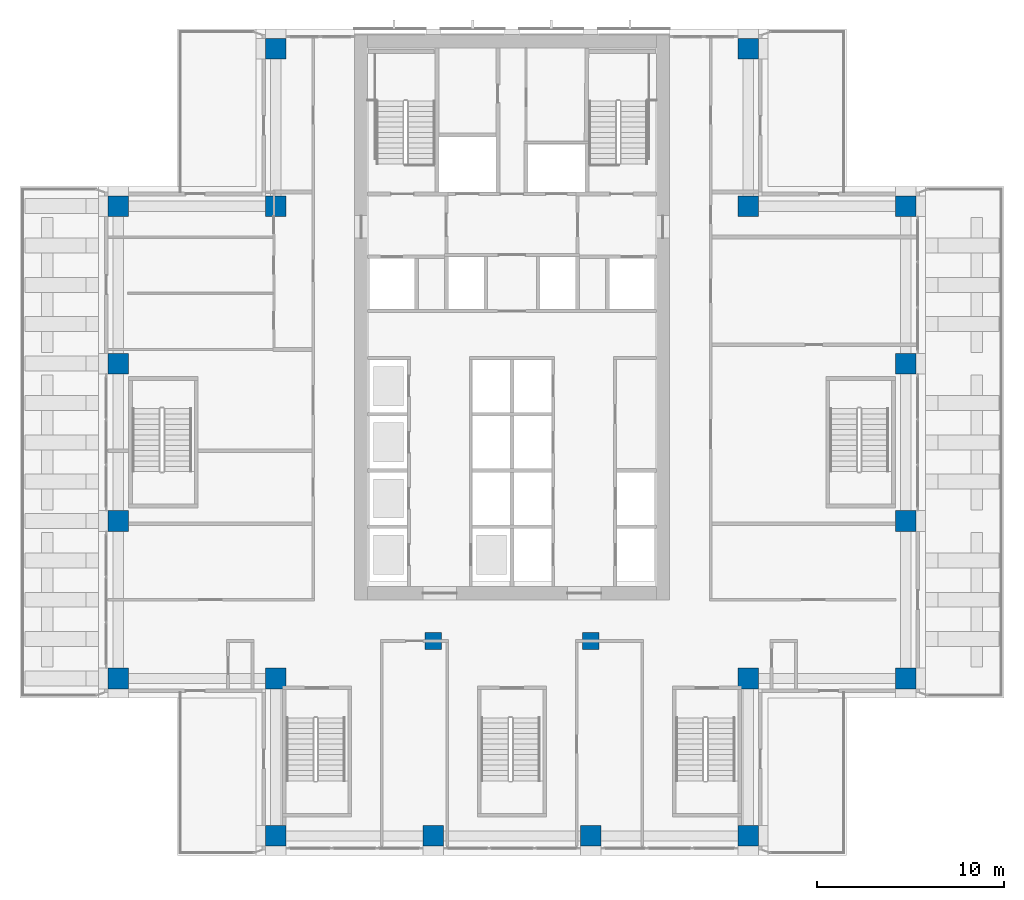
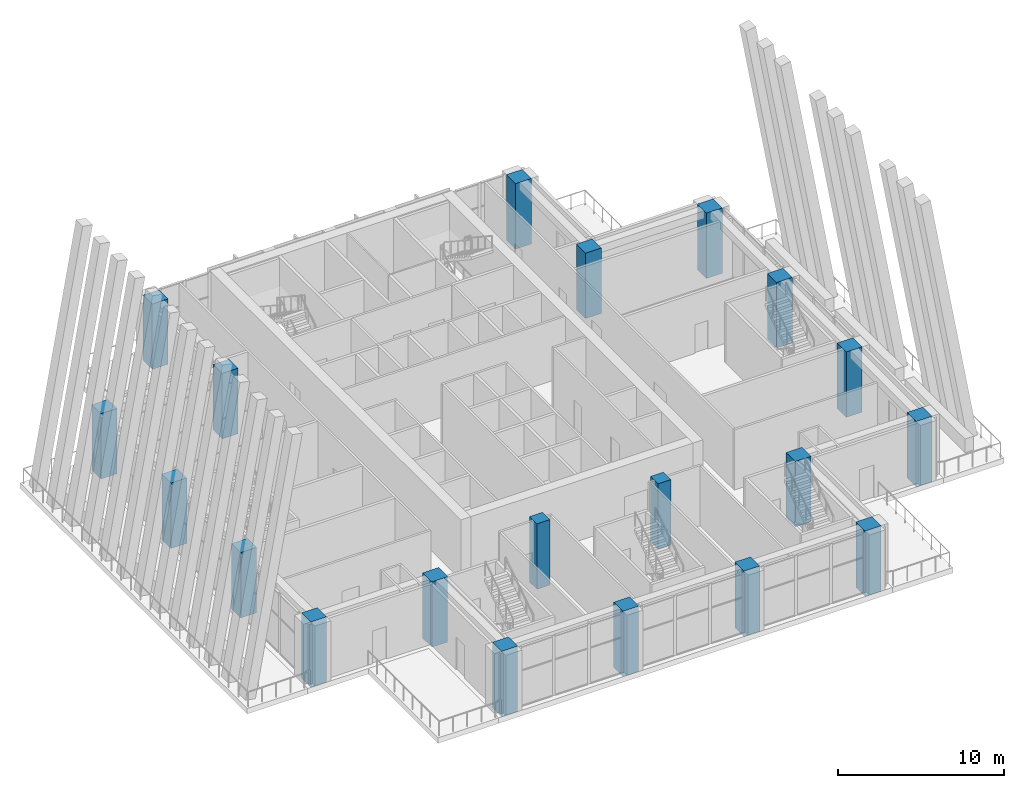
# One storey, part 1 of 19: 20 columns.
"""IFC4 building model written with IfcOpenShell, lengths in metres."""

from ifc_helpers import new_model, si_unit, direction, frame, origin, origin_2d, place, context, subcontext, project, spatial, rectangle, extrude, material, material_profile, profile_set, type_object, element, save


model = new_model("IFC4")

# Units and contexts
model_context = context("Model", 3, precision=1e-05, world=origin(), true_north=direction((0.0, 1.0)))
body_context = subcontext(model_context, "Body", "Model", "MODEL_VIEW")
ifc_project = project(units=[si_unit("LENGTHUNIT", "METRE"), si_unit("AREAUNIT", "SQUARE_METRE"), si_unit("VOLUMEUNIT", "CUBIC_METRE"), si_unit("PLANEANGLEUNIT", "RADIAN"), si_unit("MASSUNIT", "GRAM", prefix="KILO")], contexts=[model_context])

# Site, building, storey
site_placement = place(None, origin())
site = spatial("IfcSite", under=ifc_project, at=site_placement, CompositionType="ELEMENT")
building_placement = place(site_placement, origin())
building = spatial("IfcBuilding", under=site, at=building_placement, Name="Vermilion Ogive Tower", CompositionType="ELEMENT")
storey_placement = place(building_placement, frame((0.0, 0.0, 128.300048828125)))
storey = spatial("IfcBuildingStorey", under=building, at=storey_placement, Name="L32", CompositionType="ELEMENT", Elevation=128.300048828125)

# Columns
ifc_material_1 = material(Name="Concrete B60", Category="concrete")
ifc_material_profile_1 = material_profile(ifc_material_1, rectangle(XDim=1.10009765625, YDim=1.10009765625, at=origin_2d()), Name="1100 x 1100")
ifc_profile_set_1 = profile_set([ifc_material_profile_1], Name="Concrete B60")
column_type_1 = type_object("IfcColumnType", Name="Perimeter column 1100 x 1100 B60", PredefinedType="COLUMN", material=ifc_profile_set_1)
for number, where, z_axis, x_axis, name in (
    (1, (-12.60009765625, -21.0, -0.400146484375), (0.0, 0.0, 1.0), (1.0, 0.0, 0.0), "COL-L32-P-0126-210"),
    (2, (-4.199951171875, -21.0, -0.400146484375), (0.0, 0.0, 1.0), (1.0, 0.0, 0.0), "COL-L32-P-0042-210"),
    (3, (4.199951171875, -21.0, -0.400146484375), (0.0, 0.0, 1.0), (1.0, 0.0, 0.0), "COL-L32-P+0042-210"),
    (4, (12.60009765625, -21.0, -0.400146484375), (0.0, 0.0, 1.0), (1.0, 0.0, 0.0), "COL-L32-P+0126-210"),
    (5, (-21.0, -12.60009765625, -0.400146484375), (0.0, 0.0, 1.0), (1.0, 0.0, 0.0), "COL-L32-P-0210-126"),
    (6, (-12.60009765625, -12.60009765625, -0.400146484375), (0.0, 0.0, 1.0), (1.0, 0.0, 0.0), "COL-L32-P-0126-126"),
    (7, (12.60009765625, -12.60009765625, -0.400146484375), (0.0, 0.0, 1.0), (1.0, 0.0, 0.0), "COL-L32-P+0126-126"),
    (8, (21.0, -12.60009765625, -0.400146484375), (0.0, 0.0, 1.0), (1.0, 0.0, 0.0), "COL-L32-P+0210-126"),
    (9, (-21.0, -4.199951171875, -0.400146484375), (0.0, 0.0, 1.0), (1.0, 0.0, 0.0), "COL-L32-P-0210-042"),
    (10, (21.0, -4.199951171875, -0.400146484375), (0.0, 0.0, 1.0), (1.0, 0.0, 0.0), "COL-L32-P+0210-042"),
    (11, (-21.0, 4.199951171875, -0.400146484375), (0.0, 0.0, 1.0), (1.0, 0.0, 0.0), "COL-L32-P-0210+042"),
    (12, (21.0, 4.199951171875, -0.400146484375), (0.0, 0.0, 1.0), (1.0, 0.0, 0.0), "COL-L32-P+0210+042"),
    (13, (-21.0, 12.60009765625, -0.400146484375), (0.0, 0.0, 1.0), (1.0, 0.0, 0.0), "COL-L32-P-0210+126"),
    (14, (-12.60009765625, 12.60009765625, -0.400146484375), (0.0, 0.0, 1.0), (1.0, 0.0, 0.0), "COL-L32-P-0126+126"),
    (15, (12.60009765625, 12.60009765625, -0.400146484375), (0.0, 0.0, 1.0), (1.0, 0.0, 0.0), "COL-L32-P+0126+126"),
    (16, (21.0, 12.60009765625, -0.400146484375), (0.0, 0.0, 1.0), (1.0, 0.0, 0.0), "COL-L32-P+0210+126"),
    (17, (-12.60009765625, 21.0, -0.400146484375), (0.0, 0.0, 1.0), (1.0, 0.0, 0.0), "COL-L32-P-0126+210"),
    (18, (12.60009765625, 21.0, -0.400146484375), (0.0, 0.0, 1.0), (1.0, 0.0, 0.0), "COL-L32-P+0126+210"),
):
    element("IfcColumn", number, at=place(storey_placement, frame(where, z_axis=z_axis, x_axis=x_axis)), inside=storey, type_object=column_type_1, Name=name, PredefinedType="COLUMN", context=body_context, shape_type="SweptSolid", body=[
        extrude(rectangle(XDim=1.10009765625, YDim=1.10009765625, at=origin_2d()), origin(), (0.0, 0.0, 1.0), 4.800048828125),
    ])
ifc_material_2 = material(Name="Concrete B60", Category="concrete")
ifc_material_profile_2 = material_profile(ifc_material_2, rectangle(XDim=0.89990234375, YDim=0.89990234375, at=origin_2d()), Name="900 x 900")
ifc_profile_set_2 = profile_set([ifc_material_profile_2], Name="Concrete B60")
column_type_2 = type_object("IfcColumnType", Name="Ring column 900 x 900 B60", PredefinedType="COLUMN", material=ifc_profile_set_2)
for number, where, z_axis, x_axis, name in (
    (19, (-4.199951171875, -10.60009765625, -0.400146484375), (0.0, 0.0, 1.0), (1.0, 0.0, 0.0), "COL-L32-R-0042-106"),
    (20, (4.199951171875, -10.60009765625, -0.400146484375), (0.0, 0.0, 1.0), (1.0, 0.0, 0.0), "COL-L32-R+0042-106"),
):
    element("IfcColumn", number, at=place(storey_placement, frame(where, z_axis=z_axis, x_axis=x_axis)), inside=storey, type_object=column_type_2, Name=name, PredefinedType="COLUMN", context=body_context, shape_type="SweptSolid", body=[
        extrude(rectangle(XDim=0.89990234375, YDim=0.89990234375, at=origin_2d()), origin(), (0.0, 0.0, 1.0), 4.800048828125),
    ])

save(model, "model.ifc")
